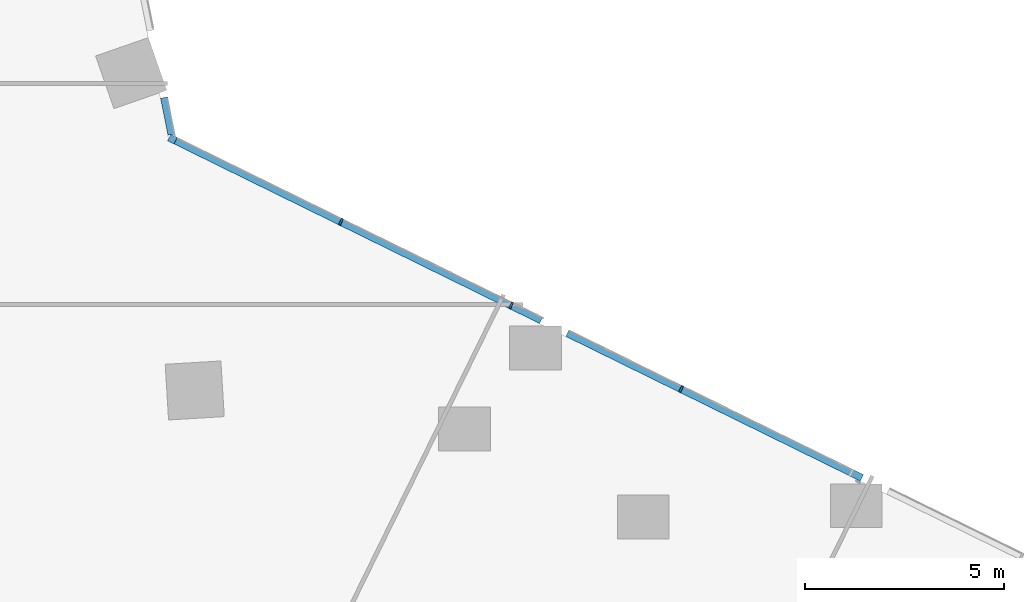
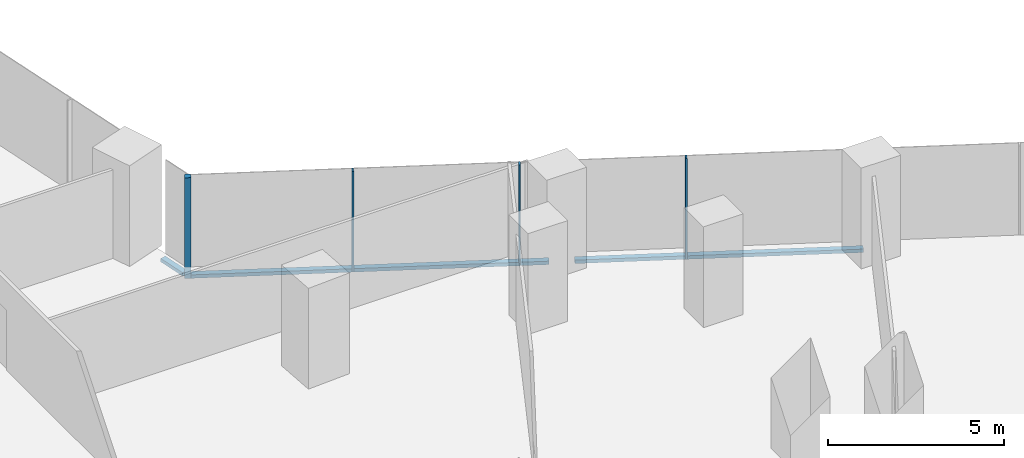
# One storey, part 11 of 38: 7 members, 2 elements without a shape of their own.
"""IFC4 building model written with IfcOpenShell, lengths in metres."""

from ifc_helpers import new_model, si_unit, direction, frame, origin, origin_2d, place, context, subcontext, project, spatial, rectangle, extrude, material, material_profile, profile_set, type_object, element, aggregate, save


model = new_model("IFC4")

# Units and contexts
model_context = context("Model", 3, precision=1e-05, world=origin(), true_north=direction((0.0, 1.0)))
body_context = subcontext(model_context, "Body", "Model", "MODEL_VIEW")
ifc_project = project(units=[si_unit("LENGTHUNIT", "METRE"), si_unit("AREAUNIT", "SQUARE_METRE"), si_unit("VOLUMEUNIT", "CUBIC_METRE"), si_unit("PLANEANGLEUNIT", "RADIAN"), si_unit("MASSUNIT", "GRAM", prefix="KILO")], contexts=[model_context])

# Site, building, storey
site_placement = place(None, origin())
site = spatial("IfcSite", under=ifc_project, at=site_placement, CompositionType="ELEMENT")
building_placement = place(site_placement, origin())
building = spatial("IfcBuilding", under=site, at=building_placement, Name="Orlundy Tower", CompositionType="ELEMENT")
storey_placement = place(building_placement, frame((0.0, 0.0, 62.300048828125)))
storey = spatial("IfcBuildingStorey", under=building, at=storey_placement, Name="L14", CompositionType="ELEMENT", Elevation=62.300048828125)

# Curtain wall, members
ifc_material_1 = material(Name="Aluminium bronze anodised", Category="aluminium")
curtain_wall_type = type_object("IfcCurtainWallType", Name="CW1 wall", PredefinedType="NOTDEFINED", material=ifc_material_1)
curtain_wall_1_placement = place(storey_placement, origin())
curtain_wall_1 = element("IfcCurtainWall", 1, at=curtain_wall_1_placement, inside=storey, type_object=curtain_wall_type, Name="CW1 run 018", PredefinedType="NOTDEFINED")
ifc_material_2 = material(Name="Aluminium bronze anodised", Category="aluminium")
ifc_material_profile_1 = material_profile(ifc_material_2, rectangle(XDim=0.179931640625, YDim=0.179931640625, at=origin_2d()), Name="CW1 corner post 180x180")
ifc_profile_set_1 = profile_set([ifc_material_profile_1], Name="Aluminium bronze anodised")
member_type_1 = type_object("IfcMemberType", Name="CW1 corner post 180x180", PredefinedType="MULLION", material=ifc_profile_set_1)
member_1_placement = place(storey_placement, frame((29.064453125, 8.103271484375, -0.400146484375), z_axis=(0.0, 0.0, 1.0), x_axis=(0.440978180969, 0.897517823728, 0.0)))
member_1 = element("IfcMember", 2, at=member_1_placement, type_object=member_type_1, Name="CW1 mullion 51", PredefinedType="MULLION", context=body_context, shape_type="SweptSolid", body=[
    extrude(rectangle(XDim=0.179931640625, YDim=0.179931640625, at=origin_2d()), origin(), (0.0, 0.0, 1.0), 3.5),
])
ifc_material_3 = material(Name="Aluminium bronze anodised", Category="aluminium")
ifc_material_profile_2 = material_profile(ifc_material_3, rectangle(XDim=0.179931640625, YDim=0.050048828125, at=origin_2d()), Name="CW1 mullion 50x180")
ifc_profile_set_2 = profile_set([ifc_material_profile_2], Name="Aluminium bronze anodised")
member_type_2 = type_object("IfcMemberType", Name="CW1 mullion 50x180", PredefinedType="MULLION", material=ifc_profile_set_2)
member_2_placement = place(storey_placement, frame((33.292724609375, 6.02587890625, -0.400146484375), z_axis=(0.0, 0.0, 1.0), x_axis=(0.440978180969, 0.897517823728, 0.0)))
member_2 = element("IfcMember", 3, at=member_2_placement, type_object=member_type_2, Name="CW1 mullion 52", PredefinedType="MULLION", context=body_context, shape_type="SweptSolid", body=[
    extrude(rectangle(XDim=0.179931640625, YDim=0.050048828125, at=origin_2d()), origin(), (0.0, 0.0, 1.0), 3.5),
])
member_3_placement = place(storey_placement, frame((37.560791015625, 3.9287109375, -0.400146484375), z_axis=(0.0, 0.0, 1.0), x_axis=(0.440978180969, 0.897517823728, 0.0)))
member_3 = element("IfcMember", 4, at=member_3_placement, type_object=member_type_2, Name="CW1 mullion 53", PredefinedType="MULLION", context=body_context, shape_type="SweptSolid", body=[
    extrude(rectangle(XDim=0.179931640625, YDim=0.050048828125, at=origin_2d()), origin(), (0.0, 0.0, 1.0), 3.5),
])
member_4_placement = place(storey_placement, frame((41.82861328125, 1.831787109375, -0.400146484375), z_axis=(0.0, 0.0, 1.0), x_axis=(0.440978180969, 0.897517823728, 0.0)))
member_4 = element("IfcMember", 5, at=member_4_placement, type_object=member_type_2, Name="CW1 mullion 54", PredefinedType="MULLION", context=body_context, shape_type="SweptSolid", body=[
    extrude(rectangle(XDim=0.179931640625, YDim=0.050048828125, at=origin_2d()), origin(), (0.0, 0.0, 1.0), 3.5),
])

# Curtain wall, member
curtain_wall_2_placement = place(storey_placement, origin())
curtain_wall_2 = element("IfcCurtainWall", 6, at=curtain_wall_2_placement, inside=storey, type_object=curtain_wall_type, Name="CW1 run 017", PredefinedType="NOTDEFINED")
ifc_material_4 = material(Name="Aluminium bronze anodised", Category="aluminium")
ifc_material_profile_3 = material_profile(ifc_material_4, rectangle(XDim=0.179931640625, YDim=0.1201171875, at=origin_2d()), Name="CW1 transom 180x120")
ifc_profile_set_3 = profile_set([ifc_material_profile_3], Name="Aluminium bronze anodised")
member_type_3 = type_object("IfcMemberType", Name="CW1 transom 180x120", PredefinedType="USERDEFINED", material=ifc_profile_set_3)
member_5_placement = place(storey_placement, frame((28.85546875, 9.145751953125, -0.340087890625), z_axis=(0.196610354456, -0.980481702288, 0.0), x_axis=(0.980481702288, 0.196610354456, 0.0)))
member_5 = element("IfcMember", 7, at=member_5_placement, type_object=member_type_3, Name="CW1 transom", ObjectType="TRANSOM", PredefinedType="USERDEFINED", context=body_context, shape_type="SweptSolid", body=[
    extrude(rectangle(XDim=0.179931640625, YDim=0.1201171875, at=origin_2d()), origin(), (0.0, 0.0, 1.0), 0.949951171875),
])
aggregate(curtain_wall_2, [member_5])

# Member
member_6_placement = place(storey_placement, frame((29.145263671875, 8.0634765625, -0.340087890625), z_axis=(0.897522132366, -0.44096941154, 0.0), x_axis=(0.44096941154, 0.897522132366, 0.0)))
member_6 = element("IfcMember", 8, at=member_6_placement, type_object=member_type_3, Name="CW1 transom", ObjectType="TRANSOM", PredefinedType="USERDEFINED", context=body_context, shape_type="SweptSolid", body=[
    extrude(rectangle(XDim=0.179931640625, YDim=0.1201171875, at=origin_2d()), origin(), (0.0, 0.0, 1.0), 10.21484375),
])

member_7_placement = place(storey_placement, frame((38.972900390625, 3.23486328125, -0.340087890625), z_axis=(0.897519729751, -0.44097430164, 0.0), x_axis=(0.44097430164, 0.897519729751, 0.0)))
member_7 = element("IfcMember", 9, at=member_7_placement, type_object=member_type_3, Name="CW1 transom", ObjectType="TRANSOM", PredefinedType="USERDEFINED", context=body_context, shape_type="SweptSolid", body=[
    extrude(rectangle(XDim=0.179931640625, YDim=0.1201171875, at=origin_2d()), origin(), (0.0, 0.0, 1.0), 8.2314453125),
])

aggregate(curtain_wall_1, [member_1, member_2, member_3, member_4, member_6, member_7])

save(model, "model.ifc")
